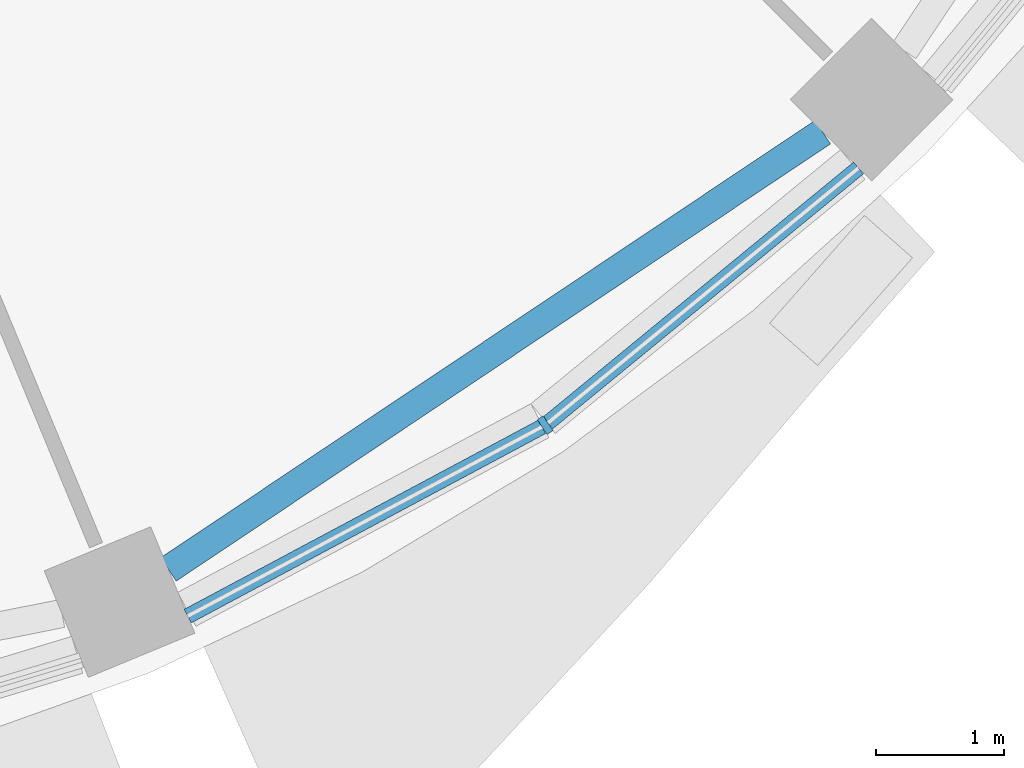
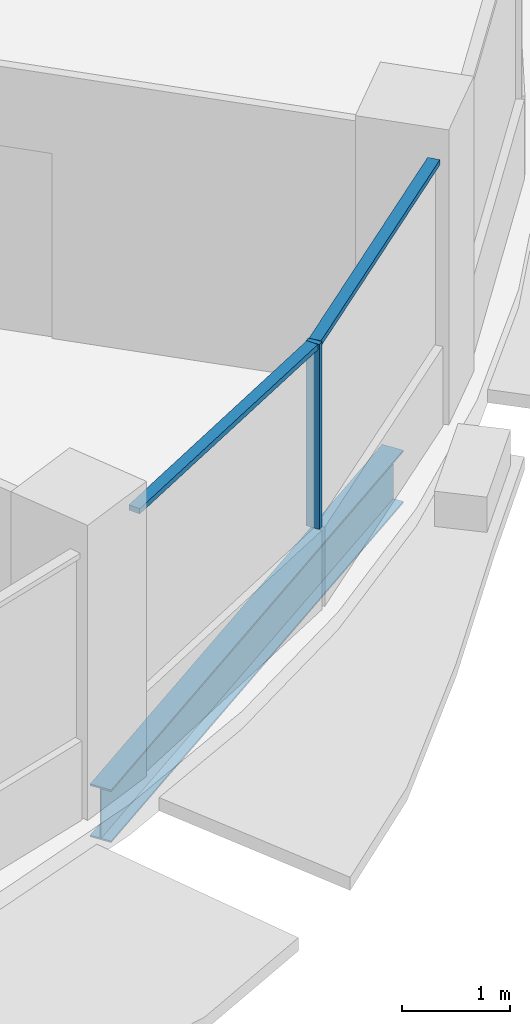
# One storey, part 3 of 15: 3 members, 1 beam, 1 element without a shape of its own.
"""IFC4 building model written with IfcOpenShell, lengths in metres."""

import ifcopenshell
import ifcopenshell.guid

model = None  # the IFC model being written
_history = None  # IfcOwnerHistory: only IFC2X3 demands one
_inside = {}  # id of a spatial element -> (the spatial element, [elements in it])
_under = {}  # id of a project, library or spatial element -> (it, [spatial elements below it])
_declared = {}  # id of a project -> (the project, [libraries it declares])
_typed = {}  # id of a type object -> (the type object, [elements of that type])
_made_of = {}  # id of a material, layer set ... -> (it, [elements and type objects made of it])


def new_model(schema):
    """Start an empty IFC model of exactly this schema.

    Asked for "IFC4X3", IfcOpenShell would pick the latest addendum, in which some entities
    have other attributes; the version numbers below select the first issue.
    IFC2X3 requires an IfcOwnerHistory on every rooted entity: one is made here for all.
    """
    global model, _history
    if schema == "IFC4X3":
        model = ifcopenshell.file(schema_version=(4, 3, 0, 0))
    else:
        model = ifcopenshell.file(schema=schema)
    _inside.clear()
    _under.clear()
    _declared.clear()
    _typed.clear()
    _made_of.clear()
    _history = None
    if model.schema == "IFC2X3":
        org = make("IfcOrganization", Name="unknown")
        user = make(
            "IfcPersonAndOrganization",
            ThePerson=make("IfcPerson", FamilyName="unknown"),
            TheOrganization=org,
        )
        app = make(
            "IfcApplication",
            ApplicationDeveloper=org,
            Version="unknown",
            ApplicationFullName="unknown",
            ApplicationIdentifier="unknown",
        )
        _history = make(
            "IfcOwnerHistory",
            OwningUser=user,
            OwningApplication=app,
            ChangeAction="ADDED",
            CreationDate=0,
        )
    return model


def make(cls, **values):
    """One entity of the class cls with the attributes given. An attribute that is None is left unset."""
    return model.create_entity(
        cls, **{name: value for name, value in values.items() if value is not None}
    )


def rooted(cls, **values):
    """An entity with a GlobalId (a new one), such as an element, a storey or a relation."""
    return make(cls, GlobalId=ifcopenshell.guid.new(), OwnerHistory=_history, **values)


def si_unit(unit_type, name, prefix=None):
    """IfcSIUnit, for example si_unit("LENGTHUNIT", "METRE", prefix="MILLI")."""
    return make("IfcSIUnit", UnitType=unit_type, Prefix=prefix, Name=name)


def assignment(units):
    """IfcUnitAssignment: the units of a project."""
    return None if units is None else make("IfcUnitAssignment", Units=units)


def point(xyz):
    """IfcCartesianPoint."""
    return None if xyz is None else make("IfcCartesianPoint", Coordinates=xyz)


def direction(xyz):
    """IfcDirection."""
    return None if xyz is None else make("IfcDirection", DirectionRatios=xyz)


def frame(location, z_axis=None, x_axis=None):
    """IfcAxis2Placement3D, a coordinate frame: its origin and axes. An axis left out is left unset."""
    return make(
        "IfcAxis2Placement3D",
        Location=point(location),
        Axis=direction(z_axis),
        RefDirection=direction(x_axis),
    )


def frame_2d(location, x_axis=None):
    """IfcAxis2Placement2D, a coordinate frame in the plane: its origin and x axis."""
    return make(
        "IfcAxis2Placement2D", Location=point(location), RefDirection=direction(x_axis)
    )


def origin():
    """The frame at (0, 0, 0) with its axes left unset."""
    return frame((0.0, 0.0, 0.0))


def origin_2d():
    """The frame at (0, 0) in the plane with its x axis left unset."""
    return frame_2d((0.0, 0.0))


def place(relative_to, where):
    """IfcLocalPlacement: puts the frame where relative to a parent placement (None: the world)."""
    return make(
        "IfcLocalPlacement", PlacementRelTo=relative_to, RelativePlacement=where
    )


def context(
    kind, dimensions, precision=None, world=None, true_north=None, identifier=None
):
    """IfcGeometricRepresentationContext, for example the 3D "Model" context."""
    return make(
        "IfcGeometricRepresentationContext",
        ContextIdentifier=identifier,
        ContextType=kind,
        CoordinateSpaceDimension=dimensions,
        Precision=precision,
        WorldCoordinateSystem=world,
        TrueNorth=true_north,
    )


def subcontext(parent, identifier, kind, view, scale=None):
    """IfcGeometricRepresentationSubContext, for example "Body" below "Model"."""
    return make(
        "IfcGeometricRepresentationSubContext",
        ContextIdentifier=identifier,
        ContextType=kind,
        ParentContext=parent,
        TargetScale=scale,
        TargetView=view,
    )


def project(units=None, contexts=None):
    """IfcProject with its units and contexts."""
    return rooted(
        "IfcProject",
        Name="project",
        RepresentationContexts=contexts,
        UnitsInContext=assignment(units),
    )


def spatial(cls, under=None, at=None, **own):
    """A site, building, storey or space (cls), placed at a placement, below another one or the project."""
    s = rooted(cls, ObjectPlacement=at, **own)
    if under is not None:
        _under.setdefault(under.id(), (under, []))[1].append(s)
    return s


def profile(cls, at=None, kind="AREA", **sizes):
    """A parametric profile (cls). Its sizes go by their IFC names, for example OverallWidth=200.0."""
    return make(cls, ProfileType=kind, Position=at, **sizes)


def rectangle(**sizes):
    """IfcRectangleProfileDef."""
    return profile("IfcRectangleProfileDef", **sizes)


def i_section(**sizes):
    """IfcIShapeProfileDef."""
    return profile("IfcIShapeProfileDef", **sizes)


def extrude(swept, where, along, depth):
    """IfcExtrudedAreaSolid: the profile swept, set in the frame where, extruded along a direction by depth."""
    return make(
        "IfcExtrudedAreaSolid",
        SweptArea=swept,
        Position=where,
        ExtrudedDirection=direction(along),
        Depth=depth,
    )


def shape(context_of_items, identifier, shape_type, items):
    """IfcShapeRepresentation: the items that make up one representation, for example the "Body"."""
    return make(
        "IfcShapeRepresentation",
        ContextOfItems=context_of_items,
        RepresentationIdentifier=identifier,
        RepresentationType=shape_type,
        Items=items,
    )


def material(Name=None, Category=None):
    """IfcMaterial."""
    return make("IfcMaterial", Name=Name, Category=Category)


def material_profile(
    of_material, cross_section, Name=None, Category=None, Priority=None
):
    """IfcMaterialProfile: a cross section and its material."""
    return make(
        "IfcMaterialProfile",
        Name=Name,
        Material=of_material,
        Profile=cross_section,
        Priority=Priority,
        Category=Category,
    )


def profile_set(profiles, Name=None, composite=None):
    """IfcMaterialProfileSet."""
    return make(
        "IfcMaterialProfileSet",
        Name=Name,
        MaterialProfiles=profiles,
        CompositeProfile=composite,
    )


def made_of(thing, what):
    """Note that an element or type object is made of a material, layer set ...; save() writes the relation."""
    if what is not None:
        _made_of.setdefault(what.id(), (what, []))[1].append(thing)
    return thing


def type_object(cls, material=None, **own):
    """A type object (cls), such as IfcWallType, which elements share."""
    return made_of(rooted(cls, **own), material)


def element(
    cls,
    number,
    at=None,
    inside=None,
    cuts=None,
    type_object=None,
    material=None,
    context=None,
    identifier="Body",
    shape_type=None,
    held_by="IfcProductDefinitionShape",
    body=None,
    shapes=None,
    **own,
):
    """One element of the class cls, such as IfcWall. Its Tag is "e" and its number.

    at: its placement. inside: the storey or other place that contains it. cuts: it is an
    opening in that element (IfcRelVoidsElement). A single representation is given by context,
    identifier, shape_type and body (its items); several are given by shapes. held_by: the class
    of the entity that holds the representations. save() writes the other relations.
    """
    e = rooted(cls, Tag="e%d" % number, ObjectPlacement=at, **own)
    if body is not None:
        shapes = [shape(context, identifier, shape_type, body)]
    if shapes is not None:
        e.Representation = make(held_by, Representations=shapes)
    if inside is not None:
        _inside.setdefault(inside.id(), (inside, []))[1].append(e)
    if cuts is not None:
        rooted(
            "IfcRelVoidsElement", RelatingBuildingElement=cuts, RelatedOpeningElement=e
        )
    if type_object is not None:
        _typed.setdefault(type_object.id(), (type_object, []))[1].append(e)
    return made_of(e, material)


def aggregate(whole, parts):
    """IfcRelAggregates: a whole, such as a stair, and the parts it consists of."""
    return rooted("IfcRelAggregates", RelatingObject=whole, RelatedObjects=parts)


def save(model, path):
    """Write the relations noted so far, then the file.

    IfcRelAggregates (storeys below a building ...), IfcRelContainedInSpatialStructure (elements
    in a storey), IfcRelDefinesByType, IfcRelAssociatesMaterial and IfcRelDeclares: one each for
    every whole, place, type object, material and project.
    """
    for whole, parts in _under.values():
        aggregate(whole, parts)
    for where, things in _inside.values():
        rooted(
            "IfcRelContainedInSpatialStructure",
            RelatedElements=things,
            RelatingStructure=where,
        )
    for kind, things in _typed.values():
        rooted("IfcRelDefinesByType", RelatedObjects=things, RelatingType=kind)
    for what, things in _made_of.values():
        rooted("IfcRelAssociatesMaterial", RelatedObjects=things, RelatingMaterial=what)
    for by, libraries in _declared.values():
        rooted("IfcRelDeclares", RelatingContext=by, RelatedDefinitions=libraries)
    model.write(path)


model = new_model("IFC4")

# Units and contexts
model_context = context("Model", 3, precision=1e-05, world=origin(), true_north=direction((0.0, 1.0)))
body_context = subcontext(model_context, "Body", "Model", "MODEL_VIEW")
ifc_project = project(units=[si_unit("LENGTHUNIT", "METRE"), si_unit("AREAUNIT", "SQUARE_METRE"), si_unit("VOLUMEUNIT", "CUBIC_METRE"), si_unit("PLANEANGLEUNIT", "RADIAN"), si_unit("MASSUNIT", "GRAM", prefix="KILO")], contexts=[model_context])

# Site, building, storey
site_placement = place(None, origin())
site = spatial("IfcSite", under=ifc_project, at=site_placement, CompositionType="ELEMENT")
building_placement = place(site_placement, origin())
building = spatial("IfcBuilding", under=site, at=building_placement, Name="Polderwave Tower", CompositionType="ELEMENT")
storey_placement = place(building_placement, frame((0.0, 0.0, 170.89990234375)))
storey = spatial("IfcBuildingStorey", under=building, at=storey_placement, Name="L45", CompositionType="ELEMENT", Elevation=170.89990234375)

# Curtain wall, members
ifc_material_1 = material(Name="Aluminium 6063-T6 and glass", Category="aluminium")
curtain_wall_type = type_object("IfcCurtainWallType", Name="Office ribbon glazing wall", PredefinedType="NOTDEFINED", material=ifc_material_1)
curtain_wall_placement = place(storey_placement, origin())
curtain_wall = element("IfcCurtainWall", 1, at=curtain_wall_placement, inside=storey, type_object=curtain_wall_type, Name="CW3 L45 13", PredefinedType="NOTDEFINED")
ifc_material_2 = material(Name="Aluminium 6063-T6", Category="aluminium")
ifc_material_profile_1 = material_profile(ifc_material_2, rectangle(XDim=0.139892578125, YDim=0.054931640625, at=origin_2d()), Name="AL 55x140")
ifc_profile_set_1 = profile_set([ifc_material_profile_1], Name="Aluminium 6063-T6")
member_type_1 = type_object("IfcMemberType", Name="Office ribbon glazing mullion 55x140", PredefinedType="MULLION", material=ifc_profile_set_1)
member_1_placement = place(storey_placement, frame((10.25, -15.341064453125, 0.900146484375), z_axis=(0.0, 0.0, 1.0), x_axis=(-0.555454132545, 0.831547176436, 0.0)))
member_1 = element("IfcMember", 2, at=member_1_placement, type_object=member_type_1, Name="CW3 mullion 1", PredefinedType="MULLION", context=body_context, shape_type="SweptSolid", body=[
    extrude(rectangle(XDim=0.139892578125, YDim=0.054931640625, at=origin_2d()), origin(), (0.0, 0.0, 1.0), 2.099853515625),
])
ifc_material_profile_2 = material_profile(ifc_material_2, rectangle(XDim=0.1201171875, YDim=0.06005859375, at=origin_2d()), Name="AL 60x120")
ifc_profile_set_2 = profile_set([ifc_material_profile_2], Name="Aluminium 6063-T6")
member_type_2 = type_object("IfcMemberType", Name="Office ribbon glazing transom 60x120", PredefinedType="USERDEFINED", material=ifc_profile_set_2)
member_2_placement = place(storey_placement, frame((7.458984375, -16.83203125, 2.97021484375), z_axis=(0.882020915121, 0.471210255925, 0.0), x_axis=(-0.471210255925, 0.882020915121, 0.0)))
member_2 = element("IfcMember", 3, at=member_2_placement, type_object=member_type_2, Name="CW3 transom 1", ObjectType="TRANSOM", PredefinedType="USERDEFINED", context=body_context, shape_type="SweptSolid", body=[
    extrude(rectangle(XDim=0.1201171875, YDim=0.06005859375, at=origin_2d()), origin(), (0.0, 0.0, 1.0), 3.13671875),
])
member_3_placement = place(storey_placement, frame((10.271240234375, -15.323486328125, 2.97021484375), z_axis=(0.773058696079, 0.634334495686, 0.0), x_axis=(-0.634334495686, 0.773058696079, 0.0)))
member_3 = element("IfcMember", 4, at=member_3_placement, type_object=member_type_2, Name="CW3 transom 2", ObjectType="TRANSOM", PredefinedType="USERDEFINED", context=body_context, shape_type="SweptSolid", body=[
    extrude(rectangle(XDim=0.1201171875, YDim=0.06005859375, at=origin_2d()), origin(), (0.0, 0.0, 1.0), 3.137939453125),
])
aggregate(curtain_wall, [member_1, member_2, member_3])

# Beam
ifc_material_3 = material(Name="Steel S355", Category="steel")
ifc_material_profile_3 = material_profile(ifc_material_3, i_section(OverallWidth=0.219970703125, OverallDepth=0.60009765625, WebThickness=0.011962890625, FlangeThickness=0.01904296875, at=origin_2d()), Name="IPE 600")
ifc_profile_set_3 = profile_set([ifc_material_profile_3], Name="Steel S355")
beam_type = type_object("IfcBeamType", Name="RING BEAM IPE 600", PredefinedType="BEAM", material=ifc_profile_set_3)
beam_placement = place(storey_placement, frame((7.30810546875, -16.46728515625, -0.64990234375), z_axis=(0.831469141634, 0.555570937424, 0.0), x_axis=(-0.555570937424, 0.831469141634, 0.0)))
element("IfcBeam", 5, at=beam_placement, inside=storey, type_object=beam_type, Name="ST-RB-L45-13", PredefinedType="BEAM", context=body_context, shape_type="SweptSolid", body=[
    extrude(i_section(OverallWidth=0.219970703125, OverallDepth=0.60009765625, WebThickness=0.011962890625, FlangeThickness=0.01904296875, at=origin_2d()), origin(), (0.0, 0.0, 1.0), 6.144775390625),
])

save(model, "model.ifc")
